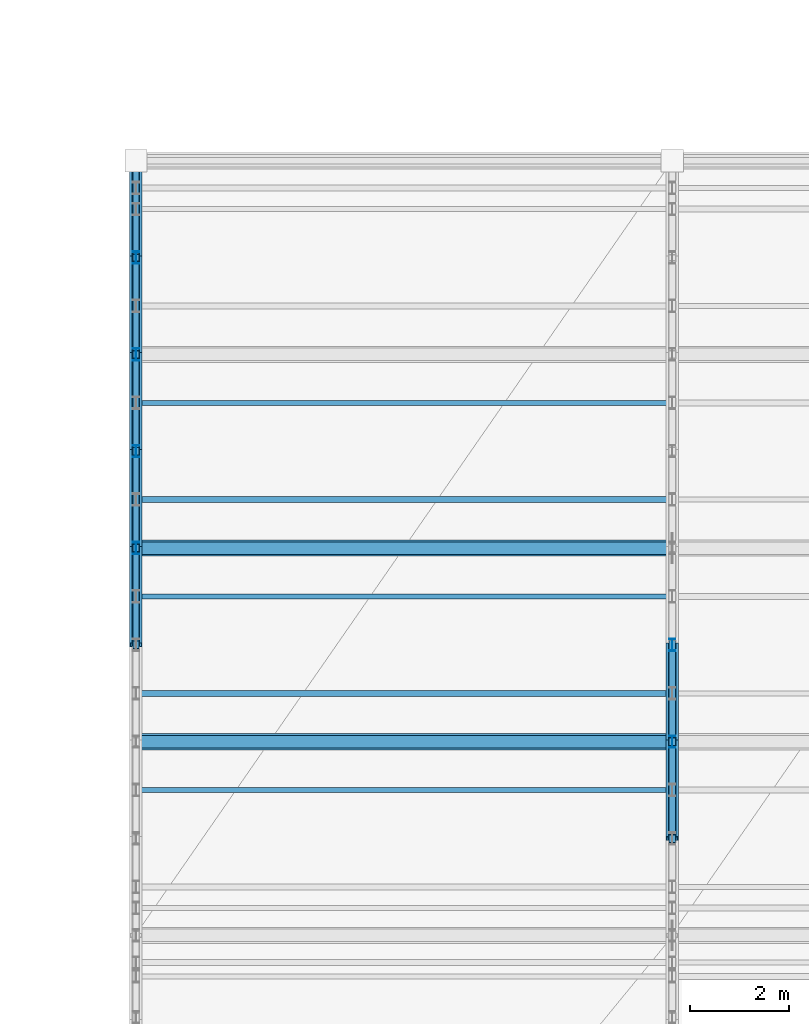
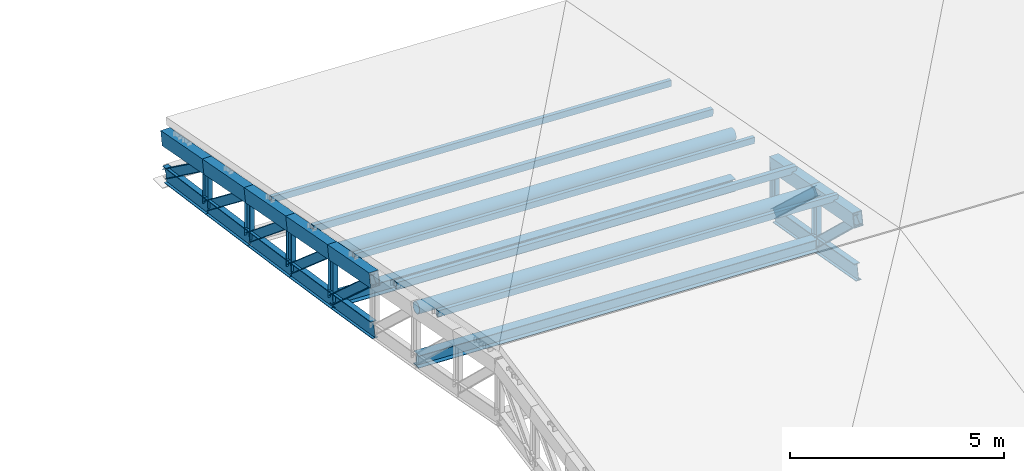
# One storey, part 16 of 89: 22 members, 14 beams.
"""IFC4 building model written with IfcOpenShell, lengths in metres."""

from ifc_helpers import new_model, si_unit, direction, frame, origin, origin_2d, place, context, subcontext, project, spatial, hollow_rectangle, hollow_circle, i_section, extrude, material, material_profile, profile_set, type_object, element, save


model = new_model("IFC4")

# Units and contexts
model_context = context("Model", 3, precision=1e-05, world=origin(), true_north=direction((0.0, 1.0)))
body_context = subcontext(model_context, "Body", "Model", "MODEL_VIEW")
ifc_project = project(units=[si_unit("LENGTHUNIT", "METRE"), si_unit("AREAUNIT", "SQUARE_METRE"), si_unit("VOLUMEUNIT", "CUBIC_METRE"), si_unit("PLANEANGLEUNIT", "RADIAN"), si_unit("MASSUNIT", "GRAM", prefix="KILO")], contexts=[model_context])

# Site, building, storey
site_placement = place(None, origin())
site = spatial("IfcSite", under=ifc_project, at=site_placement, CompositionType="ELEMENT")
building_placement = place(site_placement, origin())
building = spatial("IfcBuilding", under=site, at=building_placement, Name="Suirenkawa Promenade Aquatics Centre", CompositionType="ELEMENT")
storey_placement = place(building_placement, frame((0.0, 0.0, 9.60009765625)))
storey = spatial("IfcBuildingStorey", under=building, at=storey_placement, Name="L02", CompositionType="ELEMENT", Elevation=9.60009765625)

# Beams
ifc_material = material(Name="Steel IS 2062 E350 (Grade 350)", Category="steel")
ifc_material_profile_1 = material_profile(ifc_material, i_section(OverallWidth=0.14990234375, OverallDepth=0.449951171875, WebThickness=0.009033203125, FlangeThickness=0.01708984375, at=origin_2d()), Name="ISMB 450", Category="steel")
ifc_profile_set_1 = profile_set([ifc_material_profile_1], Name="Steel IS 2062 E350 (Grade 350)")
beam_type_1 = type_object("IfcBeamType", Name="BT-STL-ISMB450", PredefinedType="BEAM", material=ifc_profile_set_1)
beam_1_placement = place(storey_placement, frame((79.199951171875, 19.050048828125, -0.109130859375), z_axis=(0.0, 0.98728433575, -0.158964273917), x_axis=(-1.0, 0.0, 0.0)))
element("IfcBeam", 1, at=beam_1_placement, inside=storey, type_object=beam_type_1, Name="ROOF TRUSS V3 bottom chord BM-08 BM-2598", PredefinedType="BEAM", context=body_context, shape_type="SweptSolid", body=[
    extrude(i_section(OverallWidth=0.14990234375, OverallDepth=0.449951171875, WebThickness=0.009033203125, FlangeThickness=0.01708984375, at=origin_2d()), origin(), (0.0, 0.0, 1.0), 1.97509765625),
])
beam_2_placement = place(storey_placement, frame((79.199951171875, 21.0, -0.423095703125), z_axis=(0.0, 0.988441697341, -0.151601487322), x_axis=(-1.0, 0.0, 0.0)))
element("IfcBeam", 2, at=beam_2_placement, inside=storey, type_object=beam_type_1, Name="ROOF TRUSS V3 bottom chord BM-08 BM-2600", PredefinedType="BEAM", context=body_context, shape_type="SweptSolid", body=[
    extrude(i_section(OverallWidth=0.14990234375, OverallDepth=0.449951171875, WebThickness=0.009033203125, FlangeThickness=0.01708984375, at=origin_2d()), origin(), (0.0, 0.0, 1.0), 1.97265625),
])
beam_3_placement = place(storey_placement, frame((79.199951171875, 22.949951171875, -0.72216796875), z_axis=(0.0, 0.989422501766, -0.145062445169), x_axis=(-1.0, 0.0, 0.0)))
element("IfcBeam", 3, at=beam_3_placement, inside=storey, type_object=beam_type_1, Name="ROOF TRUSS V3 bottom chord BM-08 BM-2602", PredefinedType="BEAM", context=body_context, shape_type="SweptSolid", body=[
    extrude(i_section(OverallWidth=0.14990234375, OverallDepth=0.449951171875, WebThickness=0.009033203125, FlangeThickness=0.01708984375, at=origin_2d()), origin(), (0.0, 0.0, 1.0), 1.970703125),
])
beam_4_placement = place(storey_placement, frame((79.199951171875, 24.89990234375, -1.008056640625), z_axis=(0.0, 0.989986639719, -0.141161089464), x_axis=(-1.0, 0.0, 0.0)))
element("IfcBeam", 4, at=beam_4_placement, inside=storey, type_object=beam_type_1, Name="ROOF TRUSS V3 bottom chord BM-08 BM-2604", PredefinedType="BEAM", context=body_context, shape_type="SweptSolid", body=[
    extrude(i_section(OverallWidth=0.14990234375, OverallDepth=0.449951171875, WebThickness=0.009033203125, FlangeThickness=0.01708984375, at=origin_2d()), origin(), (0.0, 0.0, 1.0), 1.969970703125),
])
beam_5_placement = place(storey_placement, frame((79.199951171875, 26.85009765625, -1.2861328125), z_axis=(0.0, 0.990276604639, -0.139112351372), x_axis=(-1.0, 0.0, 0.0)))
element("IfcBeam", 5, at=beam_5_placement, inside=storey, type_object=beam_type_1, Name="ROOF TRUSS V3 bottom chord BM-08 BM-2606", PredefinedType="BEAM", context=body_context, shape_type="SweptSolid", body=[
    extrude(i_section(OverallWidth=0.14990234375, OverallDepth=0.449951171875, WebThickness=0.009033203125, FlangeThickness=0.01708984375, at=origin_2d()), origin(), (0.0, 0.0, 1.0), 1.968994140625),
])
beam_6_placement = place(storey_placement, frame((90.0, 15.14990234375, 0.122802734375), z_axis=(0.0, 0.98420136357, -0.177052749055), x_axis=(-1.0, 0.0, 0.0)))
element("IfcBeam", 6, at=beam_6_placement, inside=storey, type_object=beam_type_1, Name="ROOF TRUSS V3 bottom chord BM-08 BM-2626", PredefinedType="BEAM", context=body_context, shape_type="SweptSolid", body=[
    extrude(i_section(OverallWidth=0.14990234375, OverallDepth=0.449951171875, WebThickness=0.009033203125, FlangeThickness=0.01708984375, at=origin_2d()), origin(), (0.0, 0.0, 1.0), 1.9814453125),
])
beam_7_placement = place(storey_placement, frame((90.0, 17.10009765625, -0.22802734375), z_axis=(0.0, 0.98589233015, -0.167380743669), x_axis=(-1.0, 0.0, 0.0)))
element("IfcBeam", 7, at=beam_7_placement, inside=storey, type_object=beam_type_1, Name="ROOF TRUSS V3 bottom chord BM-08 BM-2628", PredefinedType="BEAM", context=body_context, shape_type="SweptSolid", body=[
    extrude(i_section(OverallWidth=0.14990234375, OverallDepth=0.449951171875, WebThickness=0.009033203125, FlangeThickness=0.01708984375, at=origin_2d()), origin(), (0.0, 0.0, 1.0), 1.977783203125),
])
ifc_material_profile_2 = material_profile(ifc_material, hollow_rectangle(XDim=0.25, YDim=0.39990234375, WallThickness=0.01611328125, at=origin_2d()), Name="RHS 400x250x16", Category="steel")
ifc_profile_set_2 = profile_set([ifc_material_profile_2], Name="Steel IS 2062 E350 (Grade 350)")
beam_type_2 = type_object("IfcBeamType", Name="BT-TC-RHS400", PredefinedType="BEAM", material=ifc_profile_set_2)
for number, where, z_axis, x_axis, name in (
    (8, (79.199951171875, 19.050048828125, 1.333984375), (0.0, 0.98254898431, -0.186004014558), (-1.0, 0.0, 0.0), "ROOF TRUSS V3 top chord TC-03 BM-2597"),
    (9, (79.199951171875, 21.0, 0.96484375), (0.0, 0.982571460273, -0.185885248087), (-1.0, 0.0, 0.0), "ROOF TRUSS V3 top chord TC-03 BM-2599"),
):
    element("IfcBeam", number, at=place(storey_placement, frame(where, z_axis=z_axis, x_axis=x_axis)), inside=storey, type_object=beam_type_2, Name=name, PredefinedType="BEAM", context=body_context, shape_type="SweptSolid", body=[
        extrude(hollow_rectangle(XDim=0.25, YDim=0.39990234375, WallThickness=0.01611328125, at=origin_2d()), origin(), (0.0, 0.0, 1.0), 1.984619140625),
    ])
beam_8_placement = place(storey_placement, frame((79.199951171875, 22.949951171875, 0.595947265625), z_axis=(0.0, 0.982638808178, -0.185528899804), x_axis=(-1.0, 0.0, 0.0)))
element("IfcBeam", 10, at=beam_8_placement, inside=storey, type_object=beam_type_2, Name="ROOF TRUSS V3 top chord TC-03 BM-2601", PredefinedType="BEAM", context=body_context, shape_type="SweptSolid", body=[
    extrude(hollow_rectangle(XDim=0.25, YDim=0.39990234375, WallThickness=0.01611328125, at=origin_2d()), origin(), (0.0, 0.0, 1.0), 1.984375),
])
beam_9_placement = place(storey_placement, frame((79.199951171875, 24.89990234375, 0.227783203125), z_axis=(0.0, 0.982575710299, -0.185862781455), x_axis=(-1.0, 0.0, 0.0)))
element("IfcBeam", 11, at=beam_9_placement, inside=storey, type_object=beam_type_2, Name="ROOF TRUSS V3 top chord TC-03 BM-2603", PredefinedType="BEAM", context=body_context, shape_type="SweptSolid", body=[
    extrude(hollow_rectangle(XDim=0.25, YDim=0.39990234375, WallThickness=0.01611328125, at=origin_2d()), origin(), (0.0, 0.0, 1.0), 1.98486328125),
])
for number, where, z_axis, x_axis, name in (
    (12, (79.199951171875, 26.85009765625, -0.14111328125), (0.0, 0.982571460273, -0.185885248087), (-1.0, 0.0, 0.0), "ROOF TRUSS V3 top chord TC-03 BM-2605"),
    (13, (90.0, 15.14990234375, 1.620849609375), (0.0, 0.982665459521, -0.185387687468), (-1.0, 0.0, 0.0), "ROOF TRUSS V3 top chord TC-03 BM-2625"),
    (14, (90.0, 17.10009765625, 1.2529296875), (0.0, 0.98254898431, -0.186004014558), (-1.0, 0.0, 0.0), "ROOF TRUSS V3 top chord TC-03 BM-2627"),
):
    element("IfcBeam", number, at=place(storey_placement, frame(where, z_axis=z_axis, x_axis=x_axis)), inside=storey, type_object=beam_type_2, Name=name, PredefinedType="BEAM", context=body_context, shape_type="SweptSolid", body=[
        extrude(hollow_rectangle(XDim=0.25, YDim=0.39990234375, WallThickness=0.01611328125, at=origin_2d()), origin(), (0.0, 0.0, 1.0), 1.984619140625),
    ])

# Members
ifc_material_profile_3 = material_profile(ifc_material, hollow_circle(Radius=0.162109375, WallThickness=0.013916015625, at=origin_2d()), Name="CHS 324x14", Category="steel")
ifc_profile_set_3 = profile_set([ifc_material_profile_3], Name="Steel IS 2062 E350 (Grade 350)")
member_type_1 = type_object("IfcMemberType", Name="MT-CHORD-CHS324", PredefinedType="CHORD", material=ifc_profile_set_3)
for number, where, z_axis, x_axis, name in (
    (15, (79.199951171875, 17.10009765625, 1.702880859375), (0.9991332688, 0.0, -0.041625847467), (0.0, 1.0, 0.0), "ROOF TRUSS V3 tie chord CH-01 MB-1591"),
    (16, (79.199951171875, 21.0, 0.96484375), (0.9991332688, 0.0, -0.041625847467), (0.0, 1.0, 0.0), "ROOF TRUSS V3 tie chord CH-01 MB-1605"),
):
    element("IfcMember", number, at=place(storey_placement, frame(where, z_axis=z_axis, x_axis=x_axis)), inside=storey, type_object=member_type_1, Name=name, PredefinedType="CHORD", context=body_context, shape_type="SweptSolid", body=[
        extrude(hollow_circle(Radius=0.162109375, WallThickness=0.013916015625, at=origin_2d()), origin(), (0.0, 0.0, 1.0), 10.809326171875),
    ])
ifc_material_profile_4 = material_profile(ifc_material, i_section(OverallWidth=0.25, OverallDepth=0.35009765625, WebThickness=0.010009765625, FlangeThickness=0.011962890625, at=origin_2d()), Name="ISHB 350", Category="steel")
ifc_profile_set_4 = profile_set([ifc_material_profile_4], Name="Steel IS 2062 E350 (Grade 350)")
member_type_2 = type_object("IfcMemberType", Name="MT-CHORD-ISHB350", PredefinedType="CHORD", material=ifc_profile_set_4)
for number, where, z_axis, x_axis, name in (
    (17, (79.199951171875, 17.10009765625, 0.221923828125), (0.9991332688, 0.0, -0.041625847467), (0.0, 1.0, 0.0), "ROOF TRUSS V3 bottom tie CH-04 MB-1592"),
    (18, (79.199951171875, 21.0, -0.423095703125), (0.9991332688, 0.0, -0.041625847467), (0.0, 1.0, 0.0), "ROOF TRUSS V3 bottom tie CH-04 MB-1606"),
):
    element("IfcMember", number, at=place(storey_placement, frame(where, z_axis=z_axis, x_axis=x_axis)), inside=storey, type_object=member_type_2, Name=name, PredefinedType="CHORD", context=body_context, shape_type="SweptSolid", body=[
        extrude(i_section(OverallWidth=0.25, OverallDepth=0.35009765625, WebThickness=0.010009765625, FlangeThickness=0.011962890625, at=origin_2d()), origin(), (0.0, 0.0, 1.0), 10.809326171875),
    ])
ifc_material_profile_5 = material_profile(ifc_material, hollow_rectangle(XDim=0.10009765625, YDim=0.179931640625, WallThickness=0.008056640625, at=origin_2d()), Name="RHS 180x100x8", Category="steel")
ifc_profile_set_5 = profile_set([ifc_material_profile_5], Name="Steel IS 2062 E350 (Grade 350)")
member_type_3 = type_object("IfcMemberType", Name="MT-PURLIN-RHS180", PredefinedType="PURLIN", material=ifc_profile_set_5)
for number, where, z_axis, x_axis, name in (
    (19, (79.199951171875, 16.125, 2.139892578125), (0.9991332688, 0.0, -0.041625847467), (0.0, 1.0, 0.0), "ROOF TRUSS Roof purlin PU-01 MB-2641"),
    (20, (79.199951171875, 20.02490234375, 1.40185546875), (0.9991332688, 0.0, -0.041625847467), (0.0, 1.0, 0.0), "ROOF TRUSS Roof purlin PU-01 MB-2647"),
    (21, (79.199951171875, 23.925048828125, 0.664794921875), (0.9991332688, 0.0, -0.041625847467), (0.0, 1.0, 0.0), "ROOF TRUSS Roof purlin PU-01 MB-2653"),
):
    element("IfcMember", number, at=place(storey_placement, frame(where, z_axis=z_axis, x_axis=x_axis)), inside=storey, type_object=member_type_3, Name=name, PredefinedType="PURLIN", context=body_context, shape_type="SweptSolid", body=[
        extrude(hollow_rectangle(XDim=0.10009765625, YDim=0.179931640625, WallThickness=0.008056640625, at=origin_2d()), origin(), (0.0, 0.0, 1.0), 10.809326171875),
    ])
ifc_material_profile_6 = material_profile(ifc_material, hollow_rectangle(XDim=0.1201171875, YDim=0.199951171875, WallThickness=0.008056640625, at=origin_2d()), Name="RHS 200x120x8", Category="steel")
ifc_profile_set_6 = profile_set([ifc_material_profile_6], Name="Steel IS 2062 E350 (Grade 350)")
member_type_4 = type_object("IfcMemberType", Name="MT-PURLIN-RHS200", PredefinedType="PURLIN", material=ifc_profile_set_6)
for number, where, z_axis, x_axis, name in (
    (22, (79.199951171875, 18.074951171875, 1.7587890625), (0.9991332688, 0.0, -0.041625847467), (0.0, 1.0, 0.0), "ROOF TRUSS Roof purlin PU-02 MB-2644"),
    (23, (79.199951171875, 21.97509765625, 1.02197265625), (0.9991332688, 0.0, -0.041625847467), (0.0, 1.0, 0.0), "ROOF TRUSS Roof purlin PU-02 MB-2650"),
):
    element("IfcMember", number, at=place(storey_placement, frame(where, z_axis=z_axis, x_axis=x_axis)), inside=storey, type_object=member_type_4, Name=name, PredefinedType="PURLIN", context=body_context, shape_type="SweptSolid", body=[
        extrude(hollow_rectangle(XDim=0.1201171875, YDim=0.199951171875, WallThickness=0.008056640625, at=origin_2d()), origin(), (0.0, 0.0, 1.0), 10.809326171875),
    ])
ifc_material_profile_7 = material_profile(ifc_material, i_section(OverallWidth=0.125, OverallDepth=0.25, WebThickness=0.007080078125, FlangeThickness=0.012939453125, at=origin_2d()), Name="ISMB 250", Category="steel")
ifc_profile_set_7 = profile_set([ifc_material_profile_7], Name="Steel IS 2062 E350 (Grade 350)")
member_type_5 = type_object("IfcMemberType", Name="MT-WEB-CHS168", PredefinedType="BRACE", material=ifc_profile_set_7)
member_1_placement = place(storey_placement, frame((79.199951171875, 19.050048828125, 1.333984375), z_axis=(0.0, 0.742891642365, -0.669411687756), x_axis=(-1.0, 0.0, 0.0)))
element("IfcMember", 24, at=member_1_placement, inside=storey, type_object=member_type_5, Name="ROOF TRUSS V3 web diagonal TD-03 MB-1287", PredefinedType="BRACE", context=body_context, shape_type="SweptSolid", body=[
    extrude(i_section(OverallWidth=0.125, OverallDepth=0.25, WebThickness=0.007080078125, FlangeThickness=0.012939453125, at=origin_2d()), origin(), (0.0, 0.0, 1.0), 2.624755859375),
])
member_2_placement = place(storey_placement, frame((79.199951171875, 21.0, 0.96484375), z_axis=(0.0, 0.756254271499, -0.654277828479), x_axis=(-1.0, 0.0, 0.0)))
element("IfcMember", 25, at=member_2_placement, inside=storey, type_object=member_type_5, Name="ROOF TRUSS V3 web diagonal TD-03 MB-1288", PredefinedType="BRACE", context=body_context, shape_type="SweptSolid", body=[
    extrude(i_section(OverallWidth=0.125, OverallDepth=0.25, WebThickness=0.007080078125, FlangeThickness=0.012939453125, at=origin_2d()), origin(), (0.0, 0.0, 1.0), 2.578369140625),
])
member_3_placement = place(storey_placement, frame((79.199951171875, 22.949951171875, 0.595947265625), z_axis=(0.0, 0.772287379576, -0.635273329637), x_axis=(-1.0, 0.0, 0.0)))
element("IfcMember", 26, at=member_3_placement, inside=storey, type_object=member_type_5, Name="ROOF TRUSS V3 web diagonal TD-03 MB-1289", PredefinedType="BRACE", context=body_context, shape_type="SweptSolid", body=[
    extrude(i_section(OverallWidth=0.125, OverallDepth=0.25, WebThickness=0.007080078125, FlangeThickness=0.012939453125, at=origin_2d()), origin(), (0.0, 0.0, 1.0), 2.52490234375),
])
member_4_placement = place(storey_placement, frame((79.199951171875, 24.89990234375, 0.227783203125), z_axis=(0.0, 0.789921627577, -0.613207813295), x_axis=(-1.0, 0.0, 0.0)))
element("IfcMember", 27, at=member_4_placement, inside=storey, type_object=member_type_5, Name="ROOF TRUSS V3 web diagonal TD-03 MB-1290", PredefinedType="BRACE", context=body_context, shape_type="SweptSolid", body=[
    extrude(i_section(OverallWidth=0.125, OverallDepth=0.25, WebThickness=0.007080078125, FlangeThickness=0.012939453125, at=origin_2d()), origin(), (0.0, 0.0, 1.0), 2.46875),
])
member_5_placement = place(storey_placement, frame((79.199951171875, 26.85009765625, -0.14111328125), z_axis=(0.0, 0.808578454172, -0.58838837807), x_axis=(-1.0, 0.0, 0.0)))
element("IfcMember", 28, at=member_5_placement, inside=storey, type_object=member_type_5, Name="ROOF TRUSS V3 web diagonal TD-03 MB-1291", PredefinedType="BRACE", context=body_context, shape_type="SweptSolid", body=[
    extrude(i_section(OverallWidth=0.125, OverallDepth=0.25, WebThickness=0.007080078125, FlangeThickness=0.012939453125, at=origin_2d()), origin(), (0.0, 0.0, 1.0), 2.41162109375),
])
member_6_placement = place(storey_placement, frame((79.199951171875, 21.0, -0.423095703125), z_axis=(0.0, 0.0, 1.0), x_axis=(1.0, 0.0, 0.0)))
element("IfcMember", 29, at=member_6_placement, inside=storey, type_object=member_type_5, Name="ROOF TRUSS V3 web post TD-03 MB-1303", PredefinedType="BRACE", context=body_context, shape_type="SweptSolid", body=[
    extrude(i_section(OverallWidth=0.125, OverallDepth=0.25, WebThickness=0.007080078125, FlangeThickness=0.012939453125, at=origin_2d()), origin(), (0.0, 0.0, 1.0), 1.387939453125),
])
member_7_placement = place(storey_placement, frame((79.199951171875, 22.949951171875, -0.72216796875), z_axis=(0.0, 0.0, 1.0), x_axis=(1.0, 0.0, 0.0)))
element("IfcMember", 30, at=member_7_placement, inside=storey, type_object=member_type_5, Name="ROOF TRUSS V3 web post TD-03 MB-1304", PredefinedType="BRACE", context=body_context, shape_type="SweptSolid", body=[
    extrude(i_section(OverallWidth=0.125, OverallDepth=0.25, WebThickness=0.007080078125, FlangeThickness=0.012939453125, at=origin_2d()), origin(), (0.0, 0.0, 1.0), 1.318115234375),
])
member_8_placement = place(storey_placement, frame((79.199951171875, 24.89990234375, -1.008056640625), z_axis=(0.0, 0.0, 1.0), x_axis=(1.0, 0.0, 0.0)))
element("IfcMember", 31, at=member_8_placement, inside=storey, type_object=member_type_5, Name="ROOF TRUSS V3 web post TD-03 MB-1305", PredefinedType="BRACE", context=body_context, shape_type="SweptSolid", body=[
    extrude(i_section(OverallWidth=0.125, OverallDepth=0.25, WebThickness=0.007080078125, FlangeThickness=0.012939453125, at=origin_2d()), origin(), (0.0, 0.0, 1.0), 1.23583984375),
])
member_9_placement = place(storey_placement, frame((79.199951171875, 26.85009765625, -1.2861328125), z_axis=(0.0, 0.0, 1.0), x_axis=(1.0, 0.0, 0.0)))
element("IfcMember", 32, at=member_9_placement, inside=storey, type_object=member_type_5, Name="ROOF TRUSS V3 web post TD-03 MB-1306", PredefinedType="BRACE", context=body_context, shape_type="SweptSolid", body=[
    extrude(i_section(OverallWidth=0.125, OverallDepth=0.25, WebThickness=0.007080078125, FlangeThickness=0.012939453125, at=origin_2d()), origin(), (0.0, 0.0, 1.0), 1.14501953125),
])
member_10_placement = place(storey_placement, frame((90.0, 15.14990234375, 1.620849609375), z_axis=(0.0, 0.725706746717, -0.688004155344), x_axis=(-1.0, 0.0, 0.0)))
element("IfcMember", 33, at=member_10_placement, inside=storey, type_object=member_type_5, Name="ROOF TRUSS V3 web diagonal TD-03 MB-1316", PredefinedType="BRACE", context=body_context, shape_type="SweptSolid", body=[
    extrude(i_section(OverallWidth=0.125, OverallDepth=0.25, WebThickness=0.007080078125, FlangeThickness=0.012939453125, at=origin_2d()), origin(), (0.0, 0.0, 1.0), 2.687255859375),
])
member_11_placement = place(storey_placement, frame((90.0, 17.10009765625, 1.2529296875), z_axis=(0.0, 0.732541911436, -0.680721931474), x_axis=(-1.0, 0.0, 0.0)))
element("IfcMember", 34, at=member_11_placement, inside=storey, type_object=member_type_5, Name="ROOF TRUSS V3 web diagonal TD-03 MB-1317", PredefinedType="BRACE", context=body_context, shape_type="SweptSolid", body=[
    extrude(i_section(OverallWidth=0.125, OverallDepth=0.25, WebThickness=0.007080078125, FlangeThickness=0.012939453125, at=origin_2d()), origin(), (0.0, 0.0, 1.0), 2.661865234375),
])
member_12_placement = place(storey_placement, frame((90.0, 17.10009765625, -0.22802734375), z_axis=(0.0, 0.0, 1.0), x_axis=(1.0, 0.0, 0.0)))
element("IfcMember", 35, at=member_12_placement, inside=storey, type_object=member_type_5, Name="ROOF TRUSS V3 web post TD-03 MB-1332", PredefinedType="BRACE", context=body_context, shape_type="SweptSolid", body=[
    extrude(i_section(OverallWidth=0.125, OverallDepth=0.25, WebThickness=0.007080078125, FlangeThickness=0.012939453125, at=origin_2d()), origin(), (0.0, 0.0, 1.0), 1.48095703125),
])
member_13_placement = place(storey_placement, frame((90.0, 19.050048828125, -0.55908203125), z_axis=(0.0, 0.0, 1.0), x_axis=(1.0, 0.0, 0.0)))
element("IfcMember", 36, at=member_13_placement, inside=storey, type_object=member_type_5, Name="ROOF TRUSS V3 web post TD-03 MB-1333", PredefinedType="BRACE", context=body_context, shape_type="SweptSolid", body=[
    extrude(i_section(OverallWidth=0.125, OverallDepth=0.25, WebThickness=0.007080078125, FlangeThickness=0.012939453125, at=origin_2d()), origin(), (0.0, 0.0, 1.0), 1.44287109375),
])

save(model, "model.ifc")
